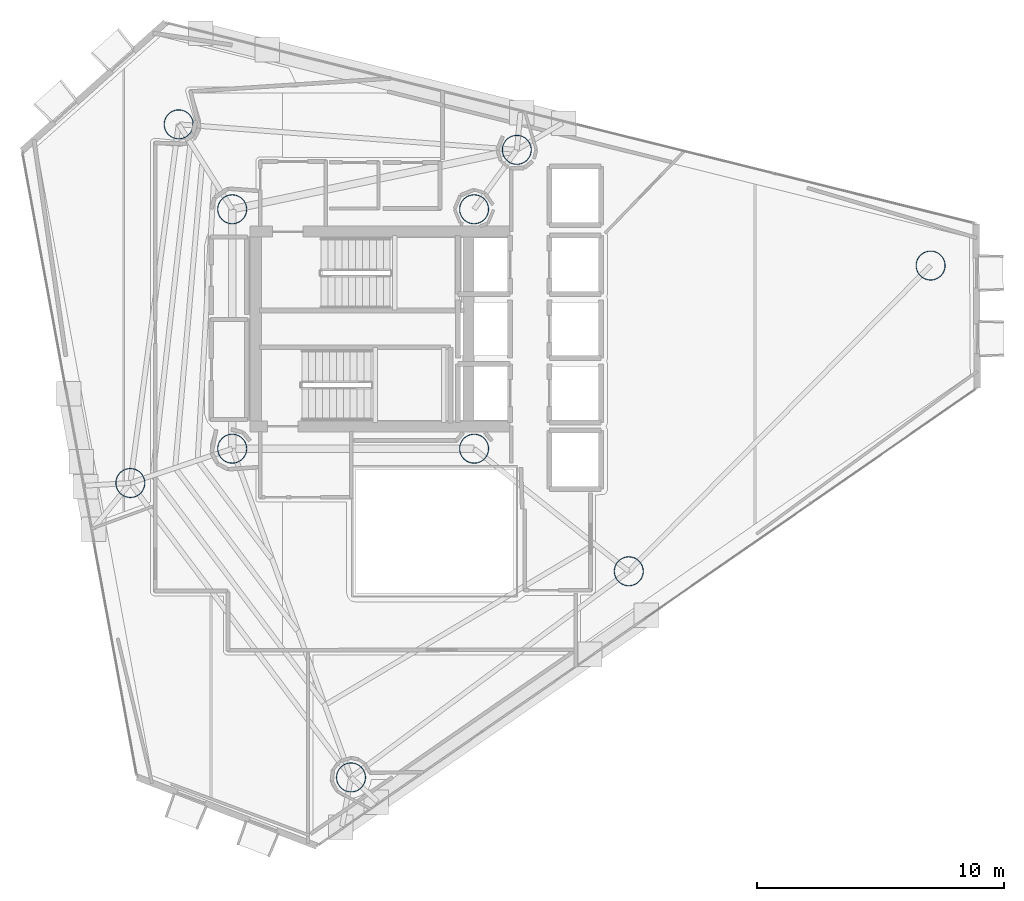
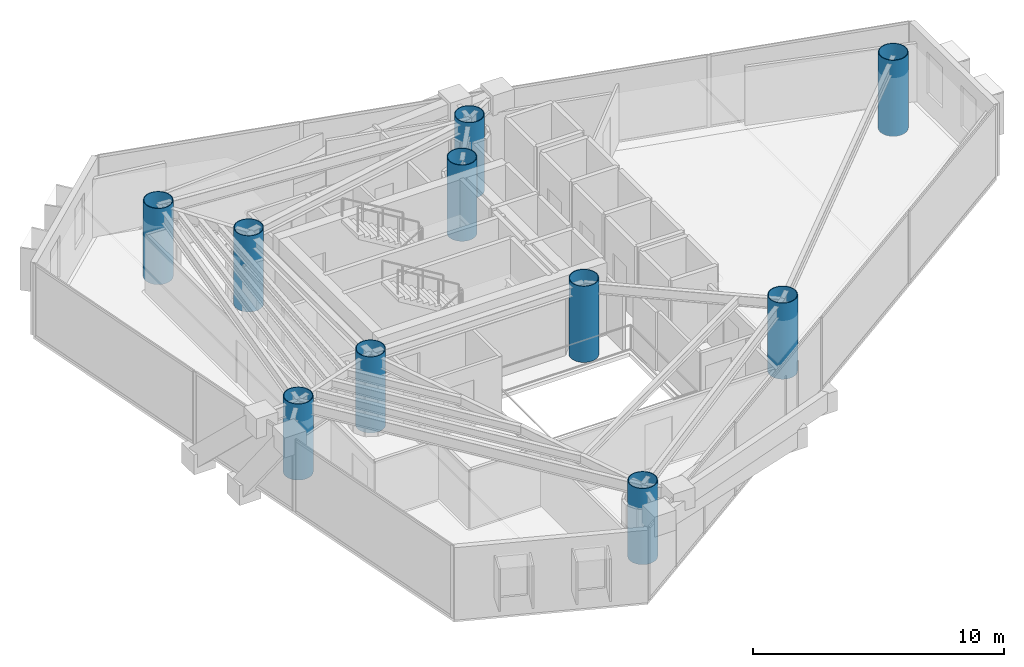
# One storey, part 1 of 23: 10 columns.
"""IFC4 building model written with IfcOpenShell, lengths in metres."""

from ifc_helpers import new_model, si_unit, direction, frame, origin, origin_2d, place, context, subcontext, project, spatial, hollow_circle, extrude, material, material_profile, profile_set, type_object, element, save


model = new_model("IFC4")

# Units and contexts
model_context = context("Model", 3, precision=1e-05, world=origin(), true_north=direction((0.0, 1.0)))
body_context = subcontext(model_context, "Body", "Model", "MODEL_VIEW")
ifc_project = project(units=[si_unit("LENGTHUNIT", "METRE"), si_unit("AREAUNIT", "SQUARE_METRE"), si_unit("VOLUMEUNIT", "CUBIC_METRE"), si_unit("PLANEANGLEUNIT", "RADIAN"), si_unit("MASSUNIT", "GRAM", prefix="KILO")], contexts=[model_context])

# Site, building, storey
site_placement = place(None, origin())
site = spatial("IfcSite", under=ifc_project, at=site_placement, CompositionType="ELEMENT")
building_placement = place(site_placement, origin())
building = spatial("IfcBuilding", under=site, at=building_placement, Name="Qianvela Tower", CompositionType="ELEMENT")
storey_placement = place(building_placement, frame((0.0, 0.0, 192.89990234375)))
storey = spatial("IfcBuildingStorey", under=building, at=storey_placement, Name="L49", CompositionType="ELEMENT", Elevation=192.89990234375)

# Columns
ifc_material = material(Name="Steel Q420GJC", Category="steel")
ifc_material_profile = material_profile(ifc_material, hollow_circle(Radius=0.60009765625, WallThickness=0.030029296875, at=origin_2d()), Name="CFT-1200x30")
ifc_profile_set = profile_set([ifc_material_profile], Name="Steel Q420GJC")
column_type = type_object("IfcColumnType", Name="COL-CFT-1200x30", PredefinedType="COLUMN", material=ifc_profile_set)
for number, where, z_axis, x_axis, name in (
    (1, (28.60009765625, 33.550048828125, 0.0), (0.0, 0.0, 1.0), (1.0, 0.0, 0.0), "L49 Core Corner Mega-Column CC-NW"),
    (2, (28.60009765625, 23.85009765625, 0.0), (0.0, 0.0, 1.0), (1.0, 0.0, 0.0), "L49 Core Corner Mega-Column CC-SW"),
    (3, (38.39990234375, 33.550048828125, 0.0), (0.0, 0.0, 1.0), (1.0, 0.0, 0.0), "L49 Core Corner Mega-Column CC-NE"),
    (4, (38.39990234375, 23.85009765625, 0.0), (0.0, 0.0, 1.0), (1.0, 0.0, 0.0), "L49 Core Corner Mega-Column CC-SE"),
    (5, (56.89697265625, 31.27001953125, 0.0), (0.0, 0.0, 1.0), (1.0, 0.0, 0.0), "L49 Zone Z5 CFT Mega-Column C1"),
    (6, (40.131103515625, 35.9580078125, 0.0), (0.0, 0.0, 1.0), (1.0, 0.0, 0.0), "L49 Zone Z5 CFT Mega-Column C2"),
    (7, (26.430908203125, 36.991943359375, 0.0), (0.0, 0.0, 1.0), (1.0, 0.0, 0.0), "L49 Zone Z5 CFT Mega-Column C3"),
    (8, (24.471923828125, 22.4599609375, 0.0), (0.0, 0.0, 1.0), (1.0, 0.0, 0.0), "L49 Zone Z5 CFT Mega-Column C4"),
    (9, (33.4130859375, 10.531005859375, 0.0), (0.0, 0.0, 1.0), (1.0, 0.0, 0.0), "L49 Zone Z5 CFT Mega-Column C5"),
    (10, (44.6669921875, 18.883056640625, 0.0), (0.0, 0.0, 1.0), (1.0, 0.0, 0.0), "L49 Zone Z5 CFT Mega-Column C6"),
):
    element("IfcColumn", number, at=place(storey_placement, frame(where, z_axis=z_axis, x_axis=x_axis)), inside=storey, type_object=column_type, Name=name, PredefinedType="COLUMN", context=body_context, shape_type="SweptSolid", body=[
        extrude(hollow_circle(Radius=0.60009765625, WallThickness=0.030029296875, at=origin_2d()), origin(), (0.0, 0.0, 1.0), 3.7001953125),
    ])

save(model, "model.ifc")
